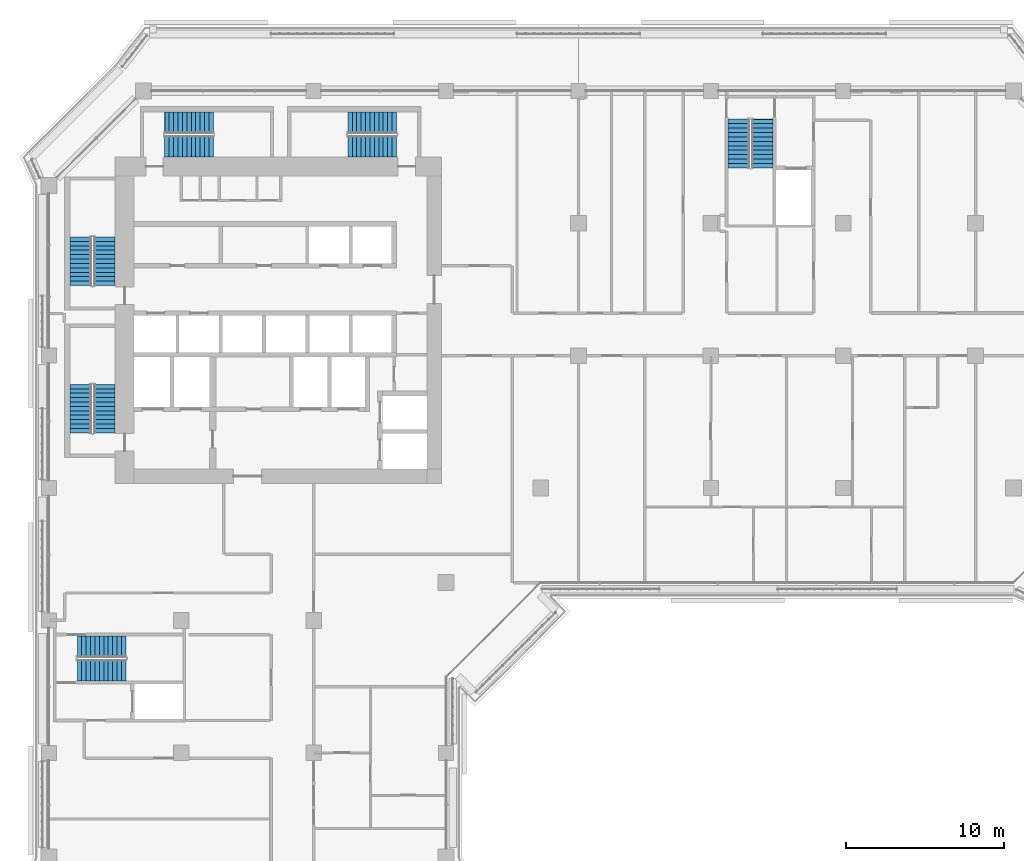
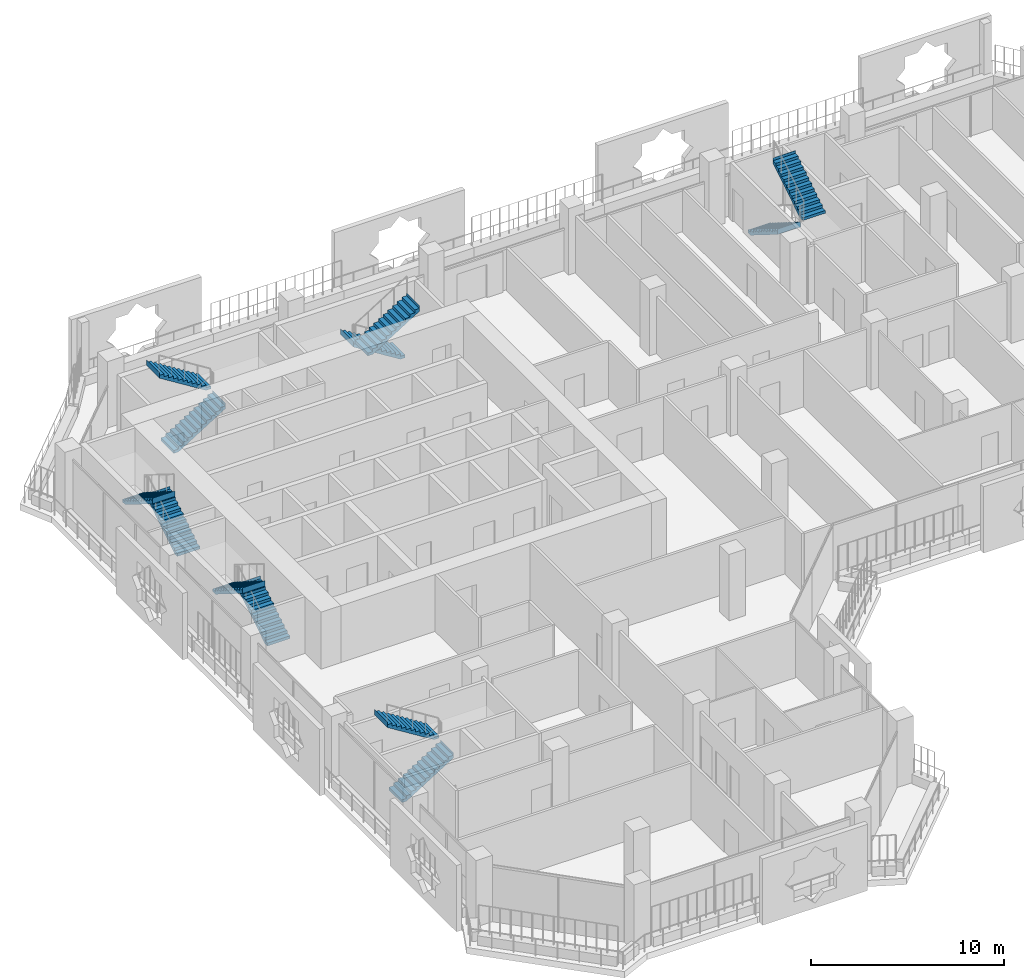
# One storey, part 15 of 22: 12 stair flights, 6 elements without a shape of their own.
"""IFC4 building model written with IfcOpenShell, lengths in metres."""

from ifc_helpers import new_model, si_unit, direction, frame, origin, place, context, subcontext, project, spatial, polyline, outline, extrude, material, type_object, element, aggregate, save


model = new_model("IFC4")

# Units and contexts
model_context = context("Model", 3, precision=1e-05, world=origin(), true_north=direction((0.0, 1.0)))
body_context = subcontext(model_context, "Body", "Model", "MODEL_VIEW")
ifc_project = project(units=[si_unit("LENGTHUNIT", "METRE"), si_unit("AREAUNIT", "SQUARE_METRE"), si_unit("VOLUMEUNIT", "CUBIC_METRE"), si_unit("PLANEANGLEUNIT", "RADIAN"), si_unit("MASSUNIT", "GRAM", prefix="KILO")], contexts=[model_context])

# Site, building, storey
site_placement = place(None, origin())
site = spatial("IfcSite", under=ifc_project, at=site_placement, CompositionType="ELEMENT")
building_placement = place(site_placement, origin())
building = spatial("IfcBuilding", under=site, at=building_placement, Name="Kawkab Arch Medical Tower", CompositionType="ELEMENT")
storey_placement = place(building_placement, frame((0.0, 0.0, 183.60009765625)))
storey = spatial("IfcBuildingStorey", under=building, at=storey_placement, Name="L42", CompositionType="ELEMENT", Elevation=183.60009765625)

# Stair, stair flights
ifc_material_1 = material(Name="Concrete C40/50", Category="concrete")
stair_type = type_object("IfcStairType", Name="Exit stair 1350", PredefinedType="HALF_TURN_STAIR", material=ifc_material_1)
placement = place(storey_placement, origin())
stair_1 = element("IfcStair", 1, at=placement, inside=storey, type_object=stair_type, Name="L42 Exit stair ST1", PredefinedType="HALF_TURN_STAIR")
ifc_material_2 = material(Name="Concrete C40/50", Category="concrete")
stair_flight_type = type_object("IfcStairFlightType", Name="Exit stair flight 1350", PredefinedType="STRAIGHT", material=ifc_material_2)
stair_flight_1_placement = place(storey_placement, frame((3.52490234375, -12.35009765625, 0.0), z_axis=(0.0, 0.0, 1.0), x_axis=(0.0, 1.0, 0.0)))
stair_flight_1 = element("IfcStairFlight", 2, at=stair_flight_1_placement, type_object=stair_flight_type, Name="ST1 flight 1", NumberOfRisers=12, NumberOfTreads=11, PredefinedType="STRAIGHT", RiserHeight=0.175, TreadLength=0.28, context=body_context, shape_type="SweptSolid", body=[
    extrude(outline(polyline([(-0.0029296875, 0.0), (-0.0029296875, 0.175048828125), (0.0, 0.175048828125), (0.280029296875, 0.175048828125), (0.280029296875, 0.35009765625), (0.56005859375, 0.35009765625), (0.56005859375, 0.52490234375), (0.840087890625, 0.52490234375), (0.840087890625, 0.699951171875), (1.1201171875, 0.699951171875), (1.1201171875, 0.875), (1.39990234375, 0.875), (1.39990234375, 1.050048828125), (1.679931640625, 1.050048828125), (1.679931640625, 1.22509765625), (1.9599609375, 1.22509765625), (1.9599609375, 1.39990234375), (2.239990234375, 1.39990234375), (2.239990234375, 1.574951171875), (2.52001953125, 1.574951171875), (2.52001953125, 1.75), (2.800048828125, 1.75), (2.800048828125, 1.925048828125), (3.080078125, 1.925048828125), (3.080078125, 2.10009765625), (3.0830078125, 2.10009765625), (3.0830078125, 1.748291015625), (3.080078125, 1.748291015625), (0.28271484375, 0.0), (-0.0029296875, 0.0)])), frame((0.0, 0.675048828125, 0.0), z_axis=(0.0, -1.0, 0.0), x_axis=(1.0, 0.0, 0.0)), (0.0, 0.0, 1.0), 1.35009765625),
])
stair_flight_2_placement = place(storey_placement, frame((2.02490234375, -9.27001953125, 2.099853515625), z_axis=(0.0, 0.0, 1.0), x_axis=(0.0, -1.0, 0.0)))
stair_flight_2 = element("IfcStairFlight", 3, at=stair_flight_2_placement, type_object=stair_flight_type, Name="ST1 flight 2", NumberOfRisers=12, NumberOfTreads=11, PredefinedType="STRAIGHT", RiserHeight=0.175, TreadLength=0.28, context=body_context, shape_type="SweptSolid", body=[
    extrude(outline(polyline([(-0.0029296875, 0.0), (-0.0029296875, 0.175048828125), (0.0, 0.175048828125), (0.280029296875, 0.175048828125), (0.280029296875, 0.35009765625), (0.56005859375, 0.35009765625), (0.56005859375, 0.52490234375), (0.840087890625, 0.52490234375), (0.840087890625, 0.699951171875), (1.1201171875, 0.699951171875), (1.1201171875, 0.875), (1.39990234375, 0.875), (1.39990234375, 1.050048828125), (1.679931640625, 1.050048828125), (1.679931640625, 1.22509765625), (1.9599609375, 1.22509765625), (1.9599609375, 1.39990234375), (2.239990234375, 1.39990234375), (2.239990234375, 1.574951171875), (2.52001953125, 1.574951171875), (2.52001953125, 1.75), (2.800048828125, 1.75), (2.800048828125, 1.925048828125), (3.080078125, 1.925048828125), (3.080078125, 2.10009765625), (3.0830078125, 2.10009765625), (3.0830078125, 1.748291015625), (3.080078125, 1.748291015625), (0.28271484375, 0.0), (-0.0029296875, 0.0)])), frame((0.0, 0.675048828125, 0.0), z_axis=(0.0, -1.0, 0.0), x_axis=(1.0, 0.0, 0.0)), (0.0, 0.0, 1.0), 1.35009765625),
])
aggregate(stair_1, [stair_flight_1, stair_flight_2])

stair_2 = element("IfcStair", 4, at=placement, inside=storey, type_object=stair_type, Name="L42 Exit stair ST2", PredefinedType="HALF_TURN_STAIR")
stair_flight_3_placement = place(storey_placement, frame((3.52490234375, -21.699951171875, 0.0), z_axis=(0.0, 0.0, 1.0), x_axis=(0.0, 1.0, 0.0)))
stair_flight_3 = element("IfcStairFlight", 5, at=stair_flight_3_placement, type_object=stair_flight_type, Name="ST2 flight 1", NumberOfRisers=12, NumberOfTreads=11, PredefinedType="STRAIGHT", RiserHeight=0.175, TreadLength=0.28, context=body_context, shape_type="SweptSolid", body=[
    extrude(outline(polyline([(-0.0029296875, 0.0), (-0.0029296875, 0.175048828125), (0.0, 0.175048828125), (0.280029296875, 0.175048828125), (0.280029296875, 0.35009765625), (0.56005859375, 0.35009765625), (0.56005859375, 0.52490234375), (0.840087890625, 0.52490234375), (0.840087890625, 0.699951171875), (1.1201171875, 0.699951171875), (1.1201171875, 0.875), (1.39990234375, 0.875), (1.39990234375, 1.050048828125), (1.679931640625, 1.050048828125), (1.679931640625, 1.22509765625), (1.9599609375, 1.22509765625), (1.9599609375, 1.39990234375), (2.239990234375, 1.39990234375), (2.239990234375, 1.574951171875), (2.52001953125, 1.574951171875), (2.52001953125, 1.75), (2.800048828125, 1.75), (2.800048828125, 1.925048828125), (3.080078125, 1.925048828125), (3.080078125, 2.10009765625), (3.0830078125, 2.10009765625), (3.0830078125, 1.748291015625), (3.080078125, 1.748291015625), (0.28271484375, 0.0), (-0.0029296875, 0.0)])), frame((0.0, 0.675048828125, 0.0), z_axis=(0.0, -1.0, 0.0), x_axis=(1.0, 0.0, 0.0)), (0.0, 0.0, 1.0), 1.35009765625),
])
stair_flight_4_placement = place(storey_placement, frame((2.02490234375, -18.6201171875, 2.099853515625), z_axis=(0.0, 0.0, 1.0), x_axis=(0.0, -1.0, 0.0)))
stair_flight_4 = element("IfcStairFlight", 6, at=stair_flight_4_placement, type_object=stair_flight_type, Name="ST2 flight 2", NumberOfRisers=12, NumberOfTreads=11, PredefinedType="STRAIGHT", RiserHeight=0.175, TreadLength=0.28, context=body_context, shape_type="SweptSolid", body=[
    extrude(outline(polyline([(-0.0029296875, 0.0), (-0.0029296875, 0.175048828125), (0.0, 0.175048828125), (0.280029296875, 0.175048828125), (0.280029296875, 0.35009765625), (0.56005859375, 0.35009765625), (0.56005859375, 0.52490234375), (0.840087890625, 0.52490234375), (0.840087890625, 0.699951171875), (1.1201171875, 0.699951171875), (1.1201171875, 0.875), (1.39990234375, 0.875), (1.39990234375, 1.050048828125), (1.679931640625, 1.050048828125), (1.679931640625, 1.22509765625), (1.9599609375, 1.22509765625), (1.9599609375, 1.39990234375), (2.239990234375, 1.39990234375), (2.239990234375, 1.574951171875), (2.52001953125, 1.574951171875), (2.52001953125, 1.75), (2.800048828125, 1.75), (2.800048828125, 1.925048828125), (3.080078125, 1.925048828125), (3.080078125, 2.10009765625), (3.0830078125, 2.10009765625), (3.0830078125, 1.748291015625), (3.080078125, 1.748291015625), (0.28271484375, 0.0), (-0.0029296875, 0.0)])), frame((0.0, 0.675048828125, 0.0), z_axis=(0.0, -1.0, 0.0), x_axis=(1.0, 0.0, 0.0)), (0.0, 0.0, 1.0), 1.35009765625),
])
aggregate(stair_2, [stair_flight_3, stair_flight_4])

stair_3 = element("IfcStair", 7, at=placement, inside=storey, type_object=stair_type, Name="L42 Exit stair ST3", PredefinedType="HALF_TURN_STAIR")
stair_flight_5_placement = place(storey_placement, frame((7.35009765625, -3.52490234375, 0.0), z_axis=(0.0, 0.0, 1.0), x_axis=(1.0, 0.0, 0.0)))
stair_flight_5 = element("IfcStairFlight", 8, at=stair_flight_5_placement, type_object=stair_flight_type, Name="ST3 flight 1", NumberOfRisers=12, NumberOfTreads=11, PredefinedType="STRAIGHT", RiserHeight=0.175, TreadLength=0.28, context=body_context, shape_type="SweptSolid", body=[
    extrude(outline(polyline([(-0.0029296875, 0.0), (-0.0029296875, 0.175048828125), (0.0, 0.175048828125), (0.280029296875, 0.175048828125), (0.280029296875, 0.35009765625), (0.56005859375, 0.35009765625), (0.56005859375, 0.52490234375), (0.840087890625, 0.52490234375), (0.840087890625, 0.699951171875), (1.1201171875, 0.699951171875), (1.1201171875, 0.875), (1.39990234375, 0.875), (1.39990234375, 1.050048828125), (1.679931640625, 1.050048828125), (1.679931640625, 1.22509765625), (1.9599609375, 1.22509765625), (1.9599609375, 1.39990234375), (2.239990234375, 1.39990234375), (2.239990234375, 1.574951171875), (2.52001953125, 1.574951171875), (2.52001953125, 1.75), (2.800048828125, 1.75), (2.800048828125, 1.925048828125), (3.080078125, 1.925048828125), (3.080078125, 2.10009765625), (3.0830078125, 2.10009765625), (3.0830078125, 1.748291015625), (3.080078125, 1.748291015625), (0.28271484375, 0.0), (-0.0029296875, 0.0)])), frame((0.0, 0.675048828125, 0.0), z_axis=(0.0, -1.0, 0.0), x_axis=(1.0, 0.0, 0.0)), (0.0, 0.0, 1.0), 1.35009765625),
])
stair_flight_6_placement = place(storey_placement, frame((10.429931640625, -2.02490234375, 2.099853515625), z_axis=(0.0, 0.0, 1.0), x_axis=(-1.0, 0.0, 0.0)))
stair_flight_6 = element("IfcStairFlight", 9, at=stair_flight_6_placement, type_object=stair_flight_type, Name="ST3 flight 2", NumberOfRisers=12, NumberOfTreads=11, PredefinedType="STRAIGHT", RiserHeight=0.175, TreadLength=0.28, context=body_context, shape_type="SweptSolid", body=[
    extrude(outline(polyline([(-0.0029296875, 0.0), (-0.0029296875, 0.175048828125), (0.0, 0.175048828125), (0.280029296875, 0.175048828125), (0.280029296875, 0.35009765625), (0.56005859375, 0.35009765625), (0.56005859375, 0.52490234375), (0.840087890625, 0.52490234375), (0.840087890625, 0.699951171875), (1.1201171875, 0.699951171875), (1.1201171875, 0.875), (1.39990234375, 0.875), (1.39990234375, 1.050048828125), (1.679931640625, 1.050048828125), (1.679931640625, 1.22509765625), (1.9599609375, 1.22509765625), (1.9599609375, 1.39990234375), (2.239990234375, 1.39990234375), (2.239990234375, 1.574951171875), (2.52001953125, 1.574951171875), (2.52001953125, 1.75), (2.800048828125, 1.75), (2.800048828125, 1.925048828125), (3.080078125, 1.925048828125), (3.080078125, 2.10009765625), (3.0830078125, 2.10009765625), (3.0830078125, 1.748291015625), (3.080078125, 1.748291015625), (0.28271484375, 0.0), (-0.0029296875, 0.0)])), frame((0.0, 0.675048828125, 0.0), z_axis=(0.0, -1.0, 0.0), x_axis=(1.0, 0.0, 0.0)), (0.0, 0.0, 1.0), 1.35009765625),
])
aggregate(stair_3, [stair_flight_5, stair_flight_6])

stair_4 = element("IfcStair", 10, at=placement, inside=storey, type_object=stair_type, Name="L42 Exit stair ST4", PredefinedType="HALF_TURN_STAIR")
stair_flight_7_placement = place(storey_placement, frame((22.050048828125, -2.02490234375, 0.0), z_axis=(0.0, 0.0, 1.0), x_axis=(-1.0, 0.0, 0.0)))
stair_flight_7 = element("IfcStairFlight", 11, at=stair_flight_7_placement, type_object=stair_flight_type, Name="ST4 flight 1", NumberOfRisers=12, NumberOfTreads=11, PredefinedType="STRAIGHT", RiserHeight=0.175, TreadLength=0.28, context=body_context, shape_type="SweptSolid", body=[
    extrude(outline(polyline([(-0.0029296875, 0.0), (-0.0029296875, 0.175048828125), (0.0, 0.175048828125), (0.280029296875, 0.175048828125), (0.280029296875, 0.35009765625), (0.56005859375, 0.35009765625), (0.56005859375, 0.52490234375), (0.840087890625, 0.52490234375), (0.840087890625, 0.699951171875), (1.1201171875, 0.699951171875), (1.1201171875, 0.875), (1.39990234375, 0.875), (1.39990234375, 1.050048828125), (1.679931640625, 1.050048828125), (1.679931640625, 1.22509765625), (1.9599609375, 1.22509765625), (1.9599609375, 1.39990234375), (2.239990234375, 1.39990234375), (2.239990234375, 1.574951171875), (2.52001953125, 1.574951171875), (2.52001953125, 1.75), (2.800048828125, 1.75), (2.800048828125, 1.925048828125), (3.080078125, 1.925048828125), (3.080078125, 2.10009765625), (3.0830078125, 2.10009765625), (3.0830078125, 1.748291015625), (3.080078125, 1.748291015625), (0.28271484375, 0.0), (-0.0029296875, 0.0)])), frame((0.0, 0.675048828125, 0.0), z_axis=(0.0, -1.0, 0.0), x_axis=(1.0, 0.0, 0.0)), (0.0, 0.0, 1.0), 1.35009765625),
])
stair_flight_8_placement = place(storey_placement, frame((18.969970703125, -3.52490234375, 2.099853515625), z_axis=(0.0, 0.0, 1.0), x_axis=(1.0, 0.0, 0.0)))
stair_flight_8 = element("IfcStairFlight", 12, at=stair_flight_8_placement, type_object=stair_flight_type, Name="ST4 flight 2", NumberOfRisers=12, NumberOfTreads=11, PredefinedType="STRAIGHT", RiserHeight=0.175, TreadLength=0.28, context=body_context, shape_type="SweptSolid", body=[
    extrude(outline(polyline([(-0.0029296875, 0.0), (-0.0029296875, 0.175048828125), (0.0, 0.175048828125), (0.280029296875, 0.175048828125), (0.280029296875, 0.35009765625), (0.56005859375, 0.35009765625), (0.56005859375, 0.52490234375), (0.840087890625, 0.52490234375), (0.840087890625, 0.699951171875), (1.1201171875, 0.699951171875), (1.1201171875, 0.875), (1.39990234375, 0.875), (1.39990234375, 1.050048828125), (1.679931640625, 1.050048828125), (1.679931640625, 1.22509765625), (1.9599609375, 1.22509765625), (1.9599609375, 1.39990234375), (2.239990234375, 1.39990234375), (2.239990234375, 1.574951171875), (2.52001953125, 1.574951171875), (2.52001953125, 1.75), (2.800048828125, 1.75), (2.800048828125, 1.925048828125), (3.080078125, 1.925048828125), (3.080078125, 2.10009765625), (3.0830078125, 2.10009765625), (3.0830078125, 1.748291015625), (3.080078125, 1.748291015625), (0.28271484375, 0.0), (-0.0029296875, 0.0)])), frame((0.0, 0.675048828125, 0.0), z_axis=(0.0, -1.0, 0.0), x_axis=(1.0, 0.0, 0.0)), (0.0, 0.0, 1.0), 1.35009765625),
])
aggregate(stair_4, [stair_flight_7, stair_flight_8])

stair_5 = element("IfcStair", 13, at=placement, inside=storey, type_object=stair_type, Name="L42 Exit stair ST5", PredefinedType="HALF_TURN_STAIR")
stair_flight_9_placement = place(storey_placement, frame((43.77490234375, -1.800048828125, 0.0), z_axis=(0.0, 0.0, 1.0), x_axis=(0.0, -1.0, 0.0)))
stair_flight_9 = element("IfcStairFlight", 14, at=stair_flight_9_placement, type_object=stair_flight_type, Name="ST5 flight 1", NumberOfRisers=12, NumberOfTreads=11, PredefinedType="STRAIGHT", RiserHeight=0.175, TreadLength=0.28, context=body_context, shape_type="SweptSolid", body=[
    extrude(outline(polyline([(-0.0029296875, 0.0), (-0.0029296875, 0.175048828125), (0.0, 0.175048828125), (0.280029296875, 0.175048828125), (0.280029296875, 0.35009765625), (0.56005859375, 0.35009765625), (0.56005859375, 0.52490234375), (0.840087890625, 0.52490234375), (0.840087890625, 0.699951171875), (1.1201171875, 0.699951171875), (1.1201171875, 0.875), (1.39990234375, 0.875), (1.39990234375, 1.050048828125), (1.679931640625, 1.050048828125), (1.679931640625, 1.22509765625), (1.9599609375, 1.22509765625), (1.9599609375, 1.39990234375), (2.239990234375, 1.39990234375), (2.239990234375, 1.574951171875), (2.52001953125, 1.574951171875), (2.52001953125, 1.75), (2.800048828125, 1.75), (2.800048828125, 1.925048828125), (3.080078125, 1.925048828125), (3.080078125, 2.10009765625), (3.0830078125, 2.10009765625), (3.0830078125, 1.748291015625), (3.080078125, 1.748291015625), (0.28271484375, 0.0), (-0.0029296875, 0.0)])), frame((0.0, 0.675048828125, 0.0), z_axis=(0.0, -1.0, 0.0), x_axis=(1.0, 0.0, 0.0)), (0.0, 0.0, 1.0), 1.35009765625),
])
stair_flight_10_placement = place(storey_placement, frame((45.27490234375, -4.8798828125, 2.099853515625), z_axis=(0.0, 0.0, 1.0), x_axis=(0.0, 1.0, 0.0)))
stair_flight_10 = element("IfcStairFlight", 15, at=stair_flight_10_placement, type_object=stair_flight_type, Name="ST5 flight 2", NumberOfRisers=12, NumberOfTreads=11, PredefinedType="STRAIGHT", RiserHeight=0.175, TreadLength=0.28, context=body_context, shape_type="SweptSolid", body=[
    extrude(outline(polyline([(-0.0029296875, 0.0), (-0.0029296875, 0.175048828125), (0.0, 0.175048828125), (0.280029296875, 0.175048828125), (0.280029296875, 0.35009765625), (0.56005859375, 0.35009765625), (0.56005859375, 0.52490234375), (0.840087890625, 0.52490234375), (0.840087890625, 0.699951171875), (1.1201171875, 0.699951171875), (1.1201171875, 0.875), (1.39990234375, 0.875), (1.39990234375, 1.050048828125), (1.679931640625, 1.050048828125), (1.679931640625, 1.22509765625), (1.9599609375, 1.22509765625), (1.9599609375, 1.39990234375), (2.239990234375, 1.39990234375), (2.239990234375, 1.574951171875), (2.52001953125, 1.574951171875), (2.52001953125, 1.75), (2.800048828125, 1.75), (2.800048828125, 1.925048828125), (3.080078125, 1.925048828125), (3.080078125, 2.10009765625), (3.0830078125, 2.10009765625), (3.0830078125, 1.748291015625), (3.080078125, 1.748291015625), (0.28271484375, 0.0), (-0.0029296875, 0.0)])), frame((0.0, 0.675048828125, 0.0), z_axis=(0.0, -1.0, 0.0), x_axis=(1.0, 0.0, 0.0)), (0.0, 0.0, 1.0), 1.35009765625),
])
aggregate(stair_5, [stair_flight_9, stair_flight_10])

stair_6 = element("IfcStair", 16, at=placement, inside=storey, type_object=stair_type, Name="L42 Exit stair ST6", PredefinedType="HALF_TURN_STAIR")
stair_flight_11_placement = place(storey_placement, frame((1.800048828125, -36.77490234375, 0.0), z_axis=(0.0, 0.0, 1.0), x_axis=(1.0, 0.0, 0.0)))
stair_flight_11 = element("IfcStairFlight", 17, at=stair_flight_11_placement, type_object=stair_flight_type, Name="ST6 flight 1", NumberOfRisers=12, NumberOfTreads=11, PredefinedType="STRAIGHT", RiserHeight=0.175, TreadLength=0.28, context=body_context, shape_type="SweptSolid", body=[
    extrude(outline(polyline([(-0.0029296875, 0.0), (-0.0029296875, 0.175048828125), (0.0, 0.175048828125), (0.280029296875, 0.175048828125), (0.280029296875, 0.35009765625), (0.56005859375, 0.35009765625), (0.56005859375, 0.52490234375), (0.840087890625, 0.52490234375), (0.840087890625, 0.699951171875), (1.1201171875, 0.699951171875), (1.1201171875, 0.875), (1.39990234375, 0.875), (1.39990234375, 1.050048828125), (1.679931640625, 1.050048828125), (1.679931640625, 1.22509765625), (1.9599609375, 1.22509765625), (1.9599609375, 1.39990234375), (2.239990234375, 1.39990234375), (2.239990234375, 1.574951171875), (2.52001953125, 1.574951171875), (2.52001953125, 1.75), (2.800048828125, 1.75), (2.800048828125, 1.925048828125), (3.080078125, 1.925048828125), (3.080078125, 2.10009765625), (3.0830078125, 2.10009765625), (3.0830078125, 1.748291015625), (3.080078125, 1.748291015625), (0.28271484375, 0.0), (-0.0029296875, 0.0)])), frame((0.0, 0.675048828125, 0.0), z_axis=(0.0, -1.0, 0.0), x_axis=(1.0, 0.0, 0.0)), (0.0, 0.0, 1.0), 1.35009765625),
])
stair_flight_12_placement = place(storey_placement, frame((4.8798828125, -35.27490234375, 2.099853515625), z_axis=(0.0, 0.0, 1.0), x_axis=(-1.0, 0.0, 0.0)))
stair_flight_12 = element("IfcStairFlight", 18, at=stair_flight_12_placement, type_object=stair_flight_type, Name="ST6 flight 2", NumberOfRisers=12, NumberOfTreads=11, PredefinedType="STRAIGHT", RiserHeight=0.175, TreadLength=0.28, context=body_context, shape_type="SweptSolid", body=[
    extrude(outline(polyline([(-0.0029296875, 0.0), (-0.0029296875, 0.175048828125), (0.0, 0.175048828125), (0.280029296875, 0.175048828125), (0.280029296875, 0.35009765625), (0.56005859375, 0.35009765625), (0.56005859375, 0.52490234375), (0.840087890625, 0.52490234375), (0.840087890625, 0.699951171875), (1.1201171875, 0.699951171875), (1.1201171875, 0.875), (1.39990234375, 0.875), (1.39990234375, 1.050048828125), (1.679931640625, 1.050048828125), (1.679931640625, 1.22509765625), (1.9599609375, 1.22509765625), (1.9599609375, 1.39990234375), (2.239990234375, 1.39990234375), (2.239990234375, 1.574951171875), (2.52001953125, 1.574951171875), (2.52001953125, 1.75), (2.800048828125, 1.75), (2.800048828125, 1.925048828125), (3.080078125, 1.925048828125), (3.080078125, 2.10009765625), (3.0830078125, 2.10009765625), (3.0830078125, 1.748291015625), (3.080078125, 1.748291015625), (0.28271484375, 0.0), (-0.0029296875, 0.0)])), frame((0.0, 0.675048828125, 0.0), z_axis=(0.0, -1.0, 0.0), x_axis=(1.0, 0.0, 0.0)), (0.0, 0.0, 1.0), 1.35009765625),
])
aggregate(stair_6, [stair_flight_11, stair_flight_12])

save(model, "model.ifc")
